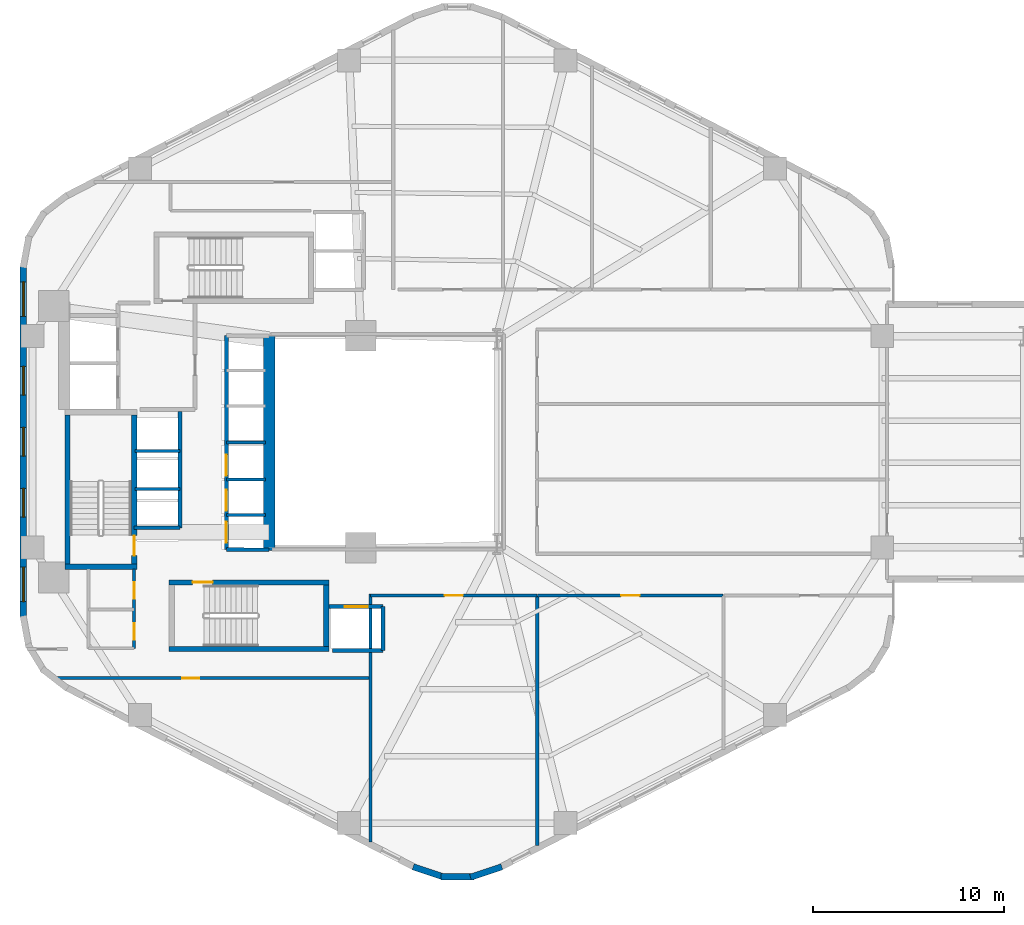
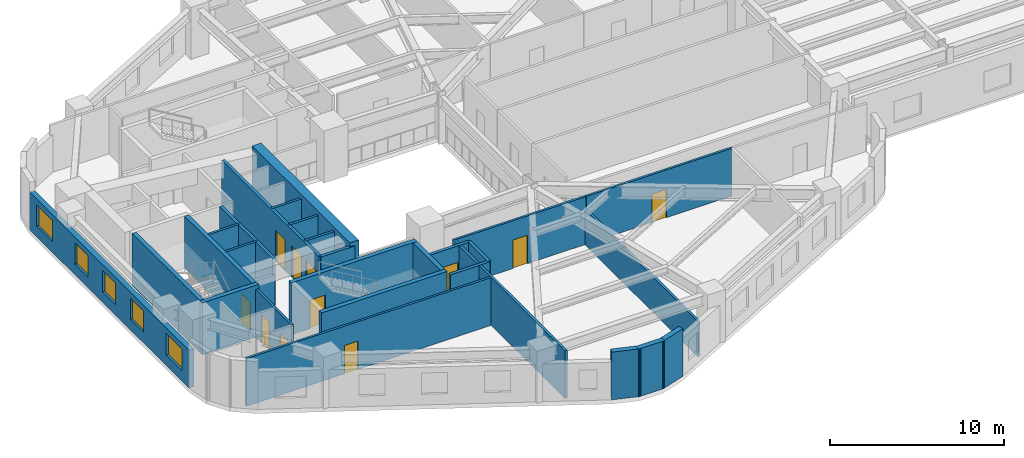
# One storey, part 5 of 10: 29 walls, 11 doors, 5 windows, 16 openings.
"""IFC4 building model written with IfcOpenShell, lengths in metres."""

from ifc_helpers import new_model, si_unit, direction, frame, frame_2d, origin, place, context, subcontext, project, spatial, rectangle, extrude, material, layer, layer_set, type_object, element, fill, save


model = new_model("IFC4")

# Units and contexts
model_context = context("Model", 3, precision=1e-05, world=origin(), true_north=direction((0.0, 1.0)))
body_context = subcontext(model_context, "Body", "Model", "MODEL_VIEW")
ifc_project = project(units=[si_unit("LENGTHUNIT", "METRE"), si_unit("AREAUNIT", "SQUARE_METRE"), si_unit("VOLUMEUNIT", "CUBIC_METRE"), si_unit("PLANEANGLEUNIT", "RADIAN"), si_unit("MASSUNIT", "GRAM", prefix="KILO"), si_unit("THERMODYNAMICTEMPERATUREUNIT", "KELVIN"), si_unit("POWERUNIT", "WATT")], contexts=[model_context])

# Site, building, storey
site_placement = place(None, origin())
site = spatial("IfcSite", under=ifc_project, at=site_placement, CompositionType="ELEMENT")
building_placement = place(site_placement, origin())
building = spatial("IfcBuilding", under=site, at=building_placement, Name="Skarre Station Tower", CompositionType="ELEMENT")
storey_placement = place(building_placement, frame((0.0, 0.0, 52.550048828125)))
storey = spatial("IfcBuildingStorey", under=building, at=storey_placement, Name="L13", CompositionType="ELEMENT", Elevation=52.550048828125)

# Wall, openings, doors
ifc_material_1 = material(Name="Acoustic Steel-Stud Gypsum Partition", Category="steel")
ifc_layer_1 = layer(ifc_material_1, 0.14990234375, Name="Acoustic Steel-Stud Gypsum Partition")
ifc_layer_set_1 = layer_set([ifc_layer_1], Name="Acoustic Steel-Stud Gypsum Partition")
wall_type_1 = type_object("IfcWallType", Name="Fire-Rated Corridor Acoustic Partition 150", PredefinedType="PARTITIONING", material=ifc_layer_set_1)
wall_1_placement = place(storey_placement, frame((20.489990234375, 13.199951171875, 0.0), z_axis=(0.0, 0.0, 1.0), x_axis=(0.0, 1.0, 0.0)))
wall_1 = element("IfcWall", 1, at=wall_1_placement, inside=storey, type_object=wall_type_1, Name="L13 Interior Partition WL-PT-L13-CSVC-E", PredefinedType="PARTITIONING", context=body_context, shape_type="SweptSolid", body=[
    extrude(rectangle(XDim=4.14013671875, YDim=0.14990234375, at=frame_2d((2.070068359375, 0.0))), origin(), (0.0, 0.0, 1.0), 3.35986328125),
])
opening_1_placement = place(wall_1_placement, frame((0.449951171875, 0.0, 0.0)))
opening_1 = element("IfcOpeningElement", 2, at=opening_1_placement, cuts=wall_1, Name="Opening DR-SVC86", PredefinedType="OPENING", context=body_context, shape_type="SweptSolid", body=[
    extrude(rectangle(XDim=0.860107421875, YDim=2.0, at=frame_2d((0.43017578125, 1.0))), frame((0.0, 0.0849609375, 0.0), z_axis=(0.0, -1.0, 0.0), x_axis=(1.0, 0.0, 0.0)), (0.0, 0.0, 1.0), 0.169921875),
])
opening_2_placement = place(wall_1_placement, frame((2.60009765625, 0.0, 0.0)))
opening_2 = element("IfcOpeningElement", 3, at=opening_2_placement, cuts=wall_1, Name="Opening DR-SVC86", PredefinedType="OPENING", context=body_context, shape_type="SweptSolid", body=[
    extrude(rectangle(XDim=0.860107421875, YDim=2.0, at=frame_2d((0.43017578125, 1.0))), frame((0.0, 0.0849609375, 0.0), z_axis=(0.0, -1.0, 0.0), x_axis=(1.0, 0.0, 0.0)), (0.0, 0.0, 1.0), 0.169921875),
])
ifc_material_2 = material(Name="Powder-Coated Hollow-Metal Acoustic Fire Leaf", Category="steel")
door_type_1 = type_object("IfcDoorType", Name="Compact Riser Fire Door FD60 860x2100", OperationType="SINGLE_SWING_LEFT", PredefinedType="DOOR", material=ifc_material_2)
door_1_placement = place(opening_1_placement, origin())
door_1 = element("IfcDoor", 4, at=door_1_placement, inside=storey, type_object=door_type_1, Name="L13 Vending Room Door", OperationType="SINGLE_SWING_LEFT", OverallHeight=2.0, OverallWidth=0.860107421875, PredefinedType="DOOR", context=body_context, shape_type="SweptSolid", body=[
    extrude(rectangle(XDim=0.860107421875, YDim=2.0, at=frame_2d((0.43017578125, 1.0))), frame((0.0, 0.02490234375, 0.0), z_axis=(0.0, -1.0, 0.0), x_axis=(1.0, 0.0, 0.0)), (0.0, 0.0, 1.0), 0.050048828125),
])
fill(opening_1, door_1)
door_2_placement = place(opening_2_placement, origin())
door_2 = element("IfcDoor", 5, at=door_2_placement, inside=storey, type_object=door_type_1, Name="L13 Linen Storage Door", OperationType="SINGLE_SWING_LEFT", OverallHeight=2.0, OverallWidth=0.860107421875, PredefinedType="DOOR", context=body_context, shape_type="SweptSolid", body=[
    extrude(rectangle(XDim=0.860107421875, YDim=2.0, at=frame_2d((0.43017578125, 1.0))), frame((0.0, 0.02490234375, 0.0), z_axis=(0.0, -1.0, 0.0), x_axis=(1.0, 0.0, 0.0)), (0.0, 0.0, 1.0), 0.050048828125),
])
fill(opening_2, door_2)

# Wall, opening, door
wall_2_placement = place(storey_placement, frame((16.487060546875, 11.639892578125, 0.0), z_axis=(0.0, 0.0, 1.0), x_axis=(1.0, 0.0, 0.0)))
wall_2 = element("IfcWall", 6, at=wall_2_placement, inside=storey, type_object=wall_type_1, Name="L13 Interior Partition WL-PT-L13-SWP-N", PredefinedType="PARTITIONING", context=body_context, shape_type="SweptSolid", body=[
    extrude(rectangle(XDim=16.363037109375, YDim=0.14990234375, at=frame_2d((8.181640625, 0.0))), origin(), (0.0, 0.0, 1.0), 3.35986328125),
])
opening_3_placement = place(wall_2_placement, frame((6.512939453125, 0.0, 0.0)))
opening_3 = element("IfcOpeningElement", 7, at=opening_3_placement, cuts=wall_2, Name="Opening DR-SVC90", PredefinedType="OPENING", context=body_context, shape_type="SweptSolid", body=[
    extrude(rectangle(XDim=0.89990234375, YDim=2.0, at=frame_2d((0.449951171875, 1.0))), frame((0.0, 0.0849609375, 0.0), z_axis=(0.0, -1.0, 0.0), x_axis=(1.0, 0.0, 0.0)), (0.0, 0.0, 1.0), 0.169921875),
])
door_type_2 = type_object("IfcDoorType", Name="Service & Riser Fire Door FD60 900x2100", OperationType="SINGLE_SWING_LEFT", PredefinedType="DOOR", material=ifc_material_2)
door_3_placement = place(opening_3_placement, origin())
door_3 = element("IfcDoor", 8, at=door_3_placement, inside=storey, type_object=door_type_2, Name="L13 Floor Public Toilets Door", OperationType="SINGLE_SWING_LEFT", OverallHeight=2.0, OverallWidth=0.89990234375, PredefinedType="DOOR", context=body_context, shape_type="SweptSolid", body=[
    extrude(rectangle(XDim=0.89990234375, YDim=2.0, at=frame_2d((0.449951171875, 1.0))), frame((0.0, 0.02490234375, 0.0), z_axis=(0.0, -1.0, 0.0), x_axis=(1.0, 0.0, 0.0)), (0.0, 0.0, 1.0), 0.050048828125),
])
fill(opening_3, door_3)

wall_3_placement = place(storey_placement, frame((32.85009765625, 15.9599609375, 0.0), z_axis=(0.0, 0.0, 1.0), x_axis=(1.0, 0.0, 0.0)))
wall_3 = element("IfcWall", 9, at=wall_3_placement, inside=storey, type_object=wall_type_1, Name="L13 Interior Partition WL-PT-L13-SW1-CW", PredefinedType="PARTITIONING", context=body_context, shape_type="SweptSolid", body=[
    extrude(rectangle(XDim=8.705810546875, YDim=0.14990234375, at=frame_2d((4.35302734375, 0.0))), origin(), (0.0, 0.0, 1.0), 3.35986328125),
])
opening_4_placement = place(wall_3_placement, frame((3.873046875, 0.0, 0.0)))
opening_4 = element("IfcOpeningElement", 10, at=opening_4_placement, cuts=wall_3, Name="Opening DR-FD60", PredefinedType="OPENING", context=body_context, shape_type="SweptSolid", body=[
    extrude(rectangle(XDim=0.9599609375, YDim=2.0, at=frame_2d((0.47998046875, 1.0))), frame((0.0, 0.0849609375, 0.0), z_axis=(0.0, -1.0, 0.0), x_axis=(1.0, 0.0, 0.0)), (0.0, 0.0, 1.0), 0.169921875),
])
ifc_material_3 = material(Name="Nordic White-Oak Veneer Solid-Core Fire Leaf", Category="wood")
door_type_3 = type_object("IfcDoorType", Name="Corridor Suite Entry Fire Door FD60 960x2150", OperationType="SINGLE_SWING_LEFT", PredefinedType="DOOR", material=ifc_material_3)
door_4_placement = place(opening_4_placement, origin())
door_4 = element("IfcDoor", 11, at=door_4_placement, inside=storey, type_object=door_type_3, Name="L13 SW1 Entry Door", OperationType="SINGLE_SWING_LEFT", OverallHeight=2.0, OverallWidth=0.9599609375, PredefinedType="DOOR", context=body_context, shape_type="SweptSolid", body=[
    extrude(rectangle(XDim=0.9599609375, YDim=2.0, at=frame_2d((0.47998046875, 1.0))), frame((0.0, 0.02490234375, 0.0), z_axis=(0.0, -1.0, 0.0), x_axis=(1.0, 0.0, 0.0)), (0.0, 0.0, 1.0), 0.050048828125),
])
fill(opening_4, door_4)

wall_4_placement = place(storey_placement, frame((41.592041015625, 15.9599609375, 0.0), z_axis=(0.0, 0.0, 1.0), x_axis=(1.0, 0.0, 0.0)))
wall_4 = element("IfcWall", 12, at=wall_4_placement, inside=storey, type_object=wall_type_1, Name="L13 Interior Partition WL-PT-L13-SW2-CW", PredefinedType="PARTITIONING", context=body_context, shape_type="SweptSolid", body=[
    extrude(rectangle(XDim=9.698974609375, YDim=0.14990234375, at=frame_2d((4.849609375, 0.0))), origin(), (0.0, 0.0, 1.0), 3.35986328125),
])
opening_5_placement = place(wall_4_placement, frame((4.3701171875, 0.0, 0.0)))
opening_5 = element("IfcOpeningElement", 13, at=opening_5_placement, cuts=wall_4, Name="Opening DR-FD60", PredefinedType="OPENING", context=body_context, shape_type="SweptSolid", body=[
    extrude(rectangle(XDim=0.9599609375, YDim=2.0, at=frame_2d((0.47998046875, 1.0))), frame((0.0, 0.0849609375, 0.0), z_axis=(0.0, -1.0, 0.0), x_axis=(1.0, 0.0, 0.0)), (0.0, 0.0, 1.0), 0.169921875),
])
door_5_placement = place(opening_5_placement, origin())
door_5 = element("IfcDoor", 14, at=door_5_placement, inside=storey, type_object=door_type_3, Name="L13 SW2 Entry Door", OperationType="SINGLE_SWING_LEFT", OverallHeight=2.0, OverallWidth=0.9599609375, PredefinedType="DOOR", context=body_context, shape_type="SweptSolid", body=[
    extrude(rectangle(XDim=0.9599609375, YDim=2.0, at=frame_2d((0.47998046875, 1.0))), frame((0.0, 0.02490234375, 0.0), z_axis=(0.0, -1.0, 0.0), x_axis=(1.0, 0.0, 0.0)), (0.0, 0.0, 1.0), 0.050048828125),
])
fill(opening_5, door_5)

# Wall, openings, windows
ifc_material_4 = material(Name="Precast concrete C45/55", Category="concrete")
ifc_layer_2 = layer(ifc_material_4, 0.340087890625, Name="Precast concrete C45/55")
ifc_layer_set_2 = layer_set([ifc_layer_2], Name="Precast concrete C45/55")
wall_type_2 = type_object("IfcWallType", Name="Nordic Honed Precast Facet Wall 340", PredefinedType="STANDARD", material=ifc_layer_set_2)
wall_5_placement = place(storey_placement, frame((14.70703125, 14.798095703125, 0.0), z_axis=(0.0, 0.0, 1.0), x_axis=(0.0, 1.0, 0.0)))
wall_5 = element("IfcWall", 15, at=wall_5_placement, inside=storey, type_object=wall_type_2, Name="L13 Facet 2 Nordic Precast Masonry Wall", PredefinedType="STANDARD", context=body_context, shape_type="SweptSolid", body=[
    extrude(rectangle(XDim=18.40380859375, YDim=0.340087890625, at=frame_2d((9.201904296875, 0.0))), origin(), (0.0, 0.0, 1.0), 2.654052734375),
])
opening_6_placement = place(wall_5_placement, frame((0.844970703125, 0.0, 0.75)))
opening_6 = element("IfcOpeningElement", 16, at=opening_6_placement, cuts=wall_5, Name="Opening WN-Z1A", PredefinedType="OPENING", context=body_context, shape_type="SweptSolid", body=[
    extrude(rectangle(XDim=1.800048828125, YDim=1.5, at=frame_2d((0.89990234375, 0.75))), frame((0.0, 0.179931640625, 0.0), z_axis=(0.0, -1.0, 0.0), x_axis=(1.0, 0.0, 0.0)), (0.0, 0.0, 1.0), 0.360107421875),
])
opening_7_placement = place(wall_5_placement, frame((5.264892578125, 0.0, 0.75)))
opening_7 = element("IfcOpeningElement", 17, at=opening_7_placement, cuts=wall_5, Name="Opening WN-Z1B", PredefinedType="OPENING", context=body_context, shape_type="SweptSolid", body=[
    extrude(rectangle(XDim=1.5, YDim=1.5, at=frame_2d((0.75, 0.75))), frame((0.0, 0.179931640625, 0.0), z_axis=(0.0, -1.0, 0.0), x_axis=(1.0, 0.0, 0.0)), (0.0, 0.0, 1.0), 0.360107421875),
])
opening_8_placement = place(wall_5_placement, frame((8.451904296875, 0.0, 0.75)))
opening_8 = element("IfcOpeningElement", 18, at=opening_8_placement, cuts=wall_5, Name="Opening WN-Z1B", PredefinedType="OPENING", context=body_context, shape_type="SweptSolid", body=[
    extrude(rectangle(XDim=1.5, YDim=1.5, at=frame_2d((0.75, 0.75))), frame((0.0, 0.179931640625, 0.0), z_axis=(0.0, -1.0, 0.0), x_axis=(1.0, 0.0, 0.0)), (0.0, 0.0, 1.0), 0.360107421875),
])
opening_9_placement = place(wall_5_placement, frame((11.638916015625, 0.0, 0.75)))
opening_9 = element("IfcOpeningElement", 19, at=opening_9_placement, cuts=wall_5, Name="Opening WN-Z1B", PredefinedType="OPENING", context=body_context, shape_type="SweptSolid", body=[
    extrude(rectangle(XDim=1.5, YDim=1.5, at=frame_2d((0.75, 0.75))), frame((0.0, 0.179931640625, 0.0), z_axis=(0.0, -1.0, 0.0), x_axis=(1.0, 0.0, 0.0)), (0.0, 0.0, 1.0), 0.360107421875),
])
opening_10_placement = place(wall_5_placement, frame((15.758056640625, 0.0, 0.75)))
opening_10 = element("IfcOpeningElement", 20, at=opening_10_placement, cuts=wall_5, Name="Opening WN-Z1A", PredefinedType="OPENING", context=body_context, shape_type="SweptSolid", body=[
    extrude(rectangle(XDim=1.800048828125, YDim=1.5, at=frame_2d((0.89990234375, 0.75))), frame((0.0, 0.179931640625, 0.0), z_axis=(0.0, -1.0, 0.0), x_axis=(1.0, 0.0, 0.0)), (0.0, 0.0, 1.0), 0.360107421875),
])
ifc_material_5 = material(Name="Low-Iron Triple Glazing with Bronze Anodized Frame", Category="glass")
window_type_1 = type_object("IfcWindowType", Name="Nordic Punched Triple-Glazed Window 1500x1500", PartitioningType="SINGLE_PANEL", PredefinedType="WINDOW", material=ifc_material_5)
window_1_placement = place(opening_7_placement, origin())
window_1 = element("IfcWindow", 21, at=window_1_placement, inside=storey, type_object=window_type_1, Name="L13 Facade Window WL-FAC-L13-F2-2", OverallHeight=1.5, OverallWidth=1.5, PartitioningType="SINGLE_PANEL", PredefinedType="WINDOW", context=body_context, shape_type="SweptSolid", body=[
    extrude(rectangle(XDim=1.5, YDim=1.5, at=frame_2d((0.75, 0.75))), frame((0.0, 0.030029296875, 0.0), z_axis=(0.0, -1.0, 0.0), x_axis=(1.0, 0.0, 0.0)), (0.0, 0.0, 1.0), 0.06005859375),
])
fill(opening_7, window_1)
window_2_placement = place(opening_8_placement, origin())
window_2 = element("IfcWindow", 22, at=window_2_placement, inside=storey, type_object=window_type_1, Name="L13 Facade Window WL-FAC-L13-F2-3", OverallHeight=1.5, OverallWidth=1.5, PartitioningType="SINGLE_PANEL", PredefinedType="WINDOW", context=body_context, shape_type="SweptSolid", body=[
    extrude(rectangle(XDim=1.5, YDim=1.5, at=frame_2d((0.75, 0.75))), frame((0.0, 0.030029296875, 0.0), z_axis=(0.0, -1.0, 0.0), x_axis=(1.0, 0.0, 0.0)), (0.0, 0.0, 1.0), 0.06005859375),
])
fill(opening_8, window_2)
window_3_placement = place(opening_9_placement, origin())
window_3 = element("IfcWindow", 23, at=window_3_placement, inside=storey, type_object=window_type_1, Name="L13 Facade Window WL-FAC-L13-F2-4", OverallHeight=1.5, OverallWidth=1.5, PartitioningType="SINGLE_PANEL", PredefinedType="WINDOW", context=body_context, shape_type="SweptSolid", body=[
    extrude(rectangle(XDim=1.5, YDim=1.5, at=frame_2d((0.75, 0.75))), frame((0.0, 0.030029296875, 0.0), z_axis=(0.0, -1.0, 0.0), x_axis=(1.0, 0.0, 0.0)), (0.0, 0.0, 1.0), 0.06005859375),
])
fill(opening_9, window_3)
window_type_2 = type_object("IfcWindowType", Name="Nordic Punched Triple-Glazed Window 1800x1500", PartitioningType="SINGLE_PANEL", PredefinedType="WINDOW", material=ifc_material_5)
window_4_placement = place(opening_6_placement, origin())
window_4 = element("IfcWindow", 24, at=window_4_placement, inside=storey, type_object=window_type_2, Name="L13 Facade Window WL-FAC-L13-F2-1", OverallHeight=1.5, OverallWidth=1.800048828125, PartitioningType="SINGLE_PANEL", PredefinedType="WINDOW", context=body_context, shape_type="SweptSolid", body=[
    extrude(rectangle(XDim=1.800048828125, YDim=1.5, at=frame_2d((0.89990234375, 0.75))), frame((0.0, 0.030029296875, 0.0), z_axis=(0.0, -1.0, 0.0), x_axis=(1.0, 0.0, 0.0)), (0.0, 0.0, 1.0), 0.06005859375),
])
fill(opening_6, window_4)
window_5_placement = place(opening_10_placement, origin())
window_5 = element("IfcWindow", 25, at=window_5_placement, inside=storey, type_object=window_type_2, Name="L13 Facade Window WL-FAC-L13-F2-5", OverallHeight=1.5, OverallWidth=1.800048828125, PartitioningType="SINGLE_PANEL", PredefinedType="WINDOW", context=body_context, shape_type="SweptSolid", body=[
    extrude(rectangle(XDim=1.800048828125, YDim=1.5, at=frame_2d((0.89990234375, 0.75))), frame((0.0, 0.030029296875, 0.0), z_axis=(0.0, -1.0, 0.0), x_axis=(1.0, 0.0, 0.0)), (0.0, 0.0, 1.0), 0.06005859375),
])
fill(opening_10, window_5)

# Walls
ifc_layer_3 = layer(ifc_material_4, 0.330078125, Name="Precast concrete C45/55")
ifc_layer_set_3 = layer_set([ifc_layer_3], Name="Precast concrete C45/55")
wall_type_3 = type_object("IfcWallType", Name="Nordic Rounded Corner Precast Wall 330", PredefinedType="STANDARD", material=ifc_layer_set_3)
wall_6_placement = place(storey_placement, frame((39.718994140625, 1.76904296875, 0.0), z_axis=(0.0, 0.0, 1.0), x_axis=(-0.94976901097, -0.312951794691, 0.0)))
element("IfcWall", 26, at=wall_6_placement, inside=storey, type_object=wall_type_3, Name="L13 Rounded Corner Precast Wall F4-1", PredefinedType="STANDARD", context=body_context, shape_type="SweptSolid", body=[
    extrude(rectangle(XDim=1.722412109375, YDim=0.330078125, at=frame_2d((0.861328125, 0.0))), origin(), (0.0, 0.0, 1.0), 3.35986328125),
])
wall_7_placement = place(storey_placement, frame((38.260986328125, 1.259033203125, 0.0), z_axis=(0.0, 0.0, 1.0), x_axis=(-1.0, 0.0, 0.0)))
element("IfcWall", 27, at=wall_7_placement, inside=storey, type_object=wall_type_3, Name="L13 Rounded Corner Precast Wall F4-2", PredefinedType="STANDARD", context=body_context, shape_type="SweptSolid", body=[
    extrude(rectangle(XDim=1.721923828125, YDim=0.330078125, at=frame_2d((0.86083984375, 0.0))), origin(), (0.0, 0.0, 1.0), 3.35986328125),
])
wall_8_placement = place(storey_placement, frame((36.717041015625, 1.22998046875, 0.0), z_axis=(0.0, 0.0, 1.0), x_axis=(-0.94976901097, 0.312951794691, 0.0)))
element("IfcWall", 28, at=wall_8_placement, inside=storey, type_object=wall_type_3, Name="L13 Rounded Corner Precast Wall F4-3", PredefinedType="STANDARD", context=body_context, shape_type="SweptSolid", body=[
    extrude(rectangle(XDim=1.722412109375, YDim=0.330078125, at=frame_2d((0.861328125, 0.0))), origin(), (0.0, 0.0, 1.0), 3.35986328125),
])
ifc_material_6 = material(Name="Concrete C50/60", Category="concrete")
ifc_layer_4 = layer(ifc_material_6, 0.280029296875, Name="Concrete C50/60")
ifc_layer_set_4 = layer_set([ifc_layer_4], Name="Concrete C50/60")
wall_type_4 = type_object("IfcWallType", Name="RC Core Shear Wall 280", PredefinedType="SHEAR", material=ifc_layer_set_4)
wall_9_placement = place(storey_placement, frame((16.8701171875, 17.4599609375, 0.0), z_axis=(0.0, 0.0, 1.0), x_axis=(1.0, 0.0, 0.0)))
element("IfcWall", 29, at=wall_9_placement, inside=storey, type_object=wall_type_4, Name="L13 Stair ST-1 South Shear Wall", PredefinedType="SHEAR", context=body_context, shape_type="SweptSolid", body=[
    extrude(rectangle(XDim=3.759765625, YDim=0.280029296875, at=frame_2d((1.8798828125, 0.0))), origin(), (0.0, 0.0, 1.0), 3.64990234375),
])
wall_10_placement = place(storey_placement, frame((17.010009765625, 25.39990234375, 0.0), z_axis=(0.0, 0.0, 1.0), x_axis=(0.0, -1.0, 0.0)))
element("IfcWall", 30, at=wall_10_placement, inside=storey, type_object=wall_type_4, Name="L13 Stair ST-1 West Shear Wall", PredefinedType="SHEAR", context=body_context, shape_type="SweptSolid", body=[
    extrude(rectangle(XDim=7.7998046875, YDim=0.280029296875, at=frame_2d((3.89990234375, 0.0))), origin(), (0.0, 0.0, 1.0), 3.64990234375),
])

# Wall, opening, door
wall_11_placement = place(storey_placement, frame((20.489990234375, 17.60009765625, 0.0), z_axis=(0.0, 0.0, 1.0), x_axis=(0.0, 1.0, 0.0)))
wall_11 = element("IfcWall", 31, at=wall_11_placement, inside=storey, type_object=wall_type_4, Name="L13 Stair ST-1 East Shear Wall", PredefinedType="SHEAR", context=body_context, shape_type="SweptSolid", body=[
    extrude(rectangle(XDim=7.7998046875, YDim=0.280029296875, at=frame_2d((3.89990234375, 0.0))), origin(), (0.0, 0.0, 1.0), 3.64990234375),
])
opening_11_placement = place(wall_11_placement, frame((0.43994140625, 0.0, 0.0)))
opening_11 = element("IfcOpeningElement", 32, at=opening_11_placement, cuts=wall_11, Name="Opening DR-FD90", PredefinedType="OPENING", context=body_context, shape_type="SweptSolid", body=[
    extrude(rectangle(XDim=1.050048828125, YDim=2.0, at=frame_2d((0.52490234375, 1.0))), frame((0.0, 0.14990234375, 0.0), z_axis=(0.0, -1.0, 0.0), x_axis=(1.0, 0.0, 0.0)), (0.0, 0.0, 1.0), 0.300048828125),
])
ifc_material_7 = material(Name="Fire-Rated Insulated Steel Frame & Timber Core Leaf", Category="steel")
door_type_4 = type_object("IfcDoorType", Name="Stair & FSAE Lobby Fire Door FD90 1050x2150", OperationType="SINGLE_SWING_RIGHT", PredefinedType="DOOR", material=ifc_material_7)
door_6_placement = place(opening_11_placement, origin())
door_6 = element("IfcDoor", 33, at=door_6_placement, inside=storey, type_object=door_type_4, Name="L13 Stair ST-1 Exit Door", OperationType="SINGLE_SWING_RIGHT", OverallHeight=2.0, OverallWidth=1.050048828125, PredefinedType="DOOR", context=body_context, shape_type="SweptSolid", body=[
    extrude(rectangle(XDim=1.050048828125, YDim=2.0, at=frame_2d((0.52490234375, 1.0))), frame((0.0, 0.02490234375, 0.0), z_axis=(0.0, -1.0, 0.0), x_axis=(1.0, 0.0, 0.0)), (0.0, 0.0, 1.0), 0.050048828125),
])
fill(opening_11, door_6)

# Wall
wall_12_placement = place(storey_placement, frame((22.320068359375, 13.159912109375, 0.0), z_axis=(0.0, 0.0, 1.0), x_axis=(1.0, 0.0, 0.0)))
element("IfcWall", 34, at=wall_12_placement, inside=storey, type_object=wall_type_4, Name="L13 Stair ST-2 South Shear Wall", PredefinedType="SHEAR", context=body_context, shape_type="SweptSolid", body=[
    extrude(rectangle(XDim=8.35986328125, YDim=0.280029296875, at=frame_2d((4.179931640625, 0.0))), origin(), (0.0, 0.0, 1.0), 3.64990234375),
])

# Wall, opening, door
wall_13_placement = place(storey_placement, frame((30.679931640625, 16.639892578125, 0.0), z_axis=(0.0, 0.0, 1.0), x_axis=(-1.0, 0.0, 0.0)))
wall_13 = element("IfcWall", 35, at=wall_13_placement, inside=storey, type_object=wall_type_4, Name="L13 Stair ST-2 North Shear Wall", PredefinedType="SHEAR", context=body_context, shape_type="SweptSolid", body=[
    extrude(rectangle(XDim=8.35986328125, YDim=0.280029296875, at=frame_2d((4.179931640625, 0.0))), origin(), (0.0, 0.0, 1.0), 3.64990234375),
])
opening_12_placement = place(wall_13_placement, frame((6.080078125, 0.0, 0.0)))
opening_12 = element("IfcOpeningElement", 36, at=opening_12_placement, cuts=wall_13, Name="Opening DR-FD90", PredefinedType="OPENING", context=body_context, shape_type="SweptSolid", body=[
    extrude(rectangle(XDim=1.050048828125, YDim=2.0, at=frame_2d((0.52490234375, 1.0))), frame((0.0, 0.14990234375, 0.0), z_axis=(0.0, -1.0, 0.0), x_axis=(1.0, 0.0, 0.0)), (0.0, 0.0, 1.0), 0.300048828125),
])
door_7_placement = place(opening_12_placement, origin())
door_7 = element("IfcDoor", 37, at=door_7_placement, inside=storey, type_object=door_type_4, Name="L13 Stair ST-2 Exit Door", OperationType="SINGLE_SWING_RIGHT", OverallHeight=2.0, OverallWidth=1.050048828125, PredefinedType="DOOR", context=body_context, shape_type="SweptSolid", body=[
    extrude(rectangle(XDim=1.050048828125, YDim=2.0, at=frame_2d((0.52490234375, 1.0))), frame((0.0, 0.02490234375, 0.0), z_axis=(0.0, -1.0, 0.0), x_axis=(1.0, 0.0, 0.0)), (0.0, 0.0, 1.0), 0.050048828125),
])
fill(opening_12, door_7)

# Walls
wall_14_placement = place(storey_placement, frame((30.5400390625, 13.300048828125, 0.0), z_axis=(0.0, 0.0, 1.0), x_axis=(0.0, 1.0, 0.0)))
element("IfcWall", 38, at=wall_14_placement, inside=storey, type_object=wall_type_4, Name="L13 Stair ST-2 East Shear Wall", PredefinedType="SHEAR", context=body_context, shape_type="SweptSolid", body=[
    extrude(rectangle(XDim=3.199951171875, YDim=0.280029296875, at=frame_2d((1.60009765625, 0.0))), origin(), (0.0, 0.0, 1.0), 3.64990234375),
])
ifc_material_8 = material(Name="Concrete C70/85", Category="concrete")
ifc_layer_5 = layer(ifc_material_8, 0.60009765625, Name="Concrete C70/85")
ifc_layer_set_5 = layer_set([ifc_layer_5], Name="Concrete C70/85")
wall_type_5 = type_object("IfcWallType", Name="RC Core Shear Wall 600", PredefinedType="SHEAR", material=ifc_layer_set_5)
wall_15_placement = place(storey_placement, frame((27.550048828125, 29.550048828125, 0.0), z_axis=(0.0, 0.0, 1.0), x_axis=(0.0, -1.0, 0.0)))
element("IfcWall", 39, at=wall_15_placement, inside=storey, type_object=wall_type_5, Name="L13 Core East Atrium Shear Wall", PredefinedType="SHEAR", context=body_context, shape_type="SweptSolid", body=[
    extrude(rectangle(XDim=11.25, YDim=0.60009765625, at=frame_2d((5.625, 0.0))), origin(), (0.0, 0.0, 1.0), 3.64990234375),
])

# Wall, opening, door
ifc_material_9 = material(Name="Gypsum Concrete Shaft Assembly C30/37", Category="concrete")
ifc_layer_6 = layer(ifc_material_9, 0.199951171875, Name="Gypsum Concrete Shaft Assembly C30/37")
ifc_layer_set_6 = layer_set([ifc_layer_6], Name="Gypsum Concrete Shaft Assembly C30/37")
wall_type_6 = type_object("IfcWallType", Name="Shaft & Core Fire Partition 200", PredefinedType="PARTITIONING", material=ifc_layer_set_6)
wall_16_placement = place(storey_placement, frame((33.5, 15.3798828125, 0.0), z_axis=(0.0, 0.0, 1.0), x_axis=(-1.0, 0.0, 0.0)))
wall_16 = element("IfcWall", 40, at=wall_16_placement, inside=storey, type_object=wall_type_6, Name="L13 Interior Partition WL-PT-L13-SV1-N", PredefinedType="PARTITIONING", context=body_context, shape_type="SweptSolid", body=[
    extrude(rectangle(XDim=2.820068359375, YDim=0.199951171875, at=frame_2d((1.41015625, 0.0))), origin(), (0.0, 0.0, 1.0), 3.35986328125),
])
opening_13_placement = place(wall_16_placement, frame((0.800048828125, 0.0, 0.0)))
opening_13 = element("IfcOpeningElement", 41, at=opening_13_placement, cuts=wall_16, Name="Opening LD-SV1", PredefinedType="OPENING", context=body_context, shape_type="SweptSolid", body=[
    extrude(rectangle(XDim=1.199951171875, YDim=2.199951171875, at=frame_2d((0.60009765625, 1.10009765625))), frame((0.0, 0.10986328125, 0.0), z_axis=(0.0, -1.0, 0.0), x_axis=(1.0, 0.0, 0.0)), (0.0, 0.0, 1.0), 0.219970703125),
])
ifc_material_10 = material(Name="Heavy-Gauge Brushed Stainless Steel Sliding Leaves", Category="steel")
door_type_5 = type_object("IfcDoorType", Name="Service Elevator Wide Sliding Landing Door 1200x2200", OperationType="SLIDING_TO_RIGHT", PredefinedType="DOOR", material=ifc_material_10)
door_8_placement = place(opening_13_placement, origin())
door_8 = element("IfcDoor", 42, at=door_8_placement, inside=storey, type_object=door_type_5, Name="L13 Service Lift LF-SV1 Landing Door", OperationType="SLIDING_TO_RIGHT", OverallHeight=2.199951171875, OverallWidth=1.199951171875, PredefinedType="DOOR", context=body_context, shape_type="SweptSolid", body=[
    extrude(rectangle(XDim=1.199951171875, YDim=2.199951171875, at=frame_2d((0.60009765625, 1.10009765625))), frame((0.0, 0.02490234375, 0.0), z_axis=(0.0, -1.0, 0.0), x_axis=(1.0, 0.0, 0.0)), (0.0, 0.0, 1.0), 0.050048828125),
])
fill(opening_13, door_8)

# Walls
wall_17_placement = place(storey_placement, frame((33.5, 13.080078125, 0.0), z_axis=(0.0, 0.0, 1.0), x_axis=(0.0, 1.0, 0.0)))
element("IfcWall", 43, at=wall_17_placement, inside=storey, type_object=wall_type_6, Name="L13 Interior Partition WL-PT-L13-SV1-E", PredefinedType="PARTITIONING", context=body_context, shape_type="SweptSolid", body=[
    extrude(rectangle(XDim=2.2998046875, YDim=0.199951171875, at=frame_2d((1.14990234375, 0.0))), origin(), (0.0, 0.0, 1.0), 3.35986328125),
])
wall_18_placement = place(storey_placement, frame((30.87890625, 13.080078125, 0.0), z_axis=(0.0, 0.0, 1.0), x_axis=(1.0, 0.0, 0.0)))
element("IfcWall", 44, at=wall_18_placement, inside=storey, type_object=wall_type_6, Name="L13 Interior Partition WL-PT-L13-SV1-S", PredefinedType="PARTITIONING", context=body_context, shape_type="SweptSolid", body=[
    extrude(rectangle(XDim=2.62109375, YDim=0.199951171875, at=frame_2d((1.310546875, 0.0))), origin(), (0.0, 0.0, 1.0), 3.35986328125),
])
wall_19_placement = place(storey_placement, frame((22.89990234375, 19.5, 0.0), z_axis=(0.0, 0.0, 1.0), x_axis=(0.0, 1.0, 0.0)))
element("IfcWall", 45, at=wall_19_placement, inside=storey, type_object=wall_type_6, Name="L13 Interior Partition WL-PT-L13-B3-E", PredefinedType="PARTITIONING", context=body_context, shape_type="SweptSolid", body=[
    extrude(rectangle(XDim=6.0849609375, YDim=0.199951171875, at=frame_2d((3.04248046875, 0.0))), origin(), (0.0, 0.0, 1.0), 3.35986328125),
])
wall_20_placement = place(storey_placement, frame((20.489990234375, 19.5, 0.0), z_axis=(0.0, 0.0, 1.0), x_axis=(1.0, 0.0, 0.0)))
element("IfcWall", 46, at=wall_20_placement, inside=storey, type_object=wall_type_6, Name="L13 Interior Partition WL-PT-L13-B3-S", PredefinedType="PARTITIONING", context=body_context, shape_type="SweptSolid", body=[
    extrude(rectangle(XDim=2.409912109375, YDim=0.199951171875, at=frame_2d((1.205078125, 0.0))), origin(), (0.0, 0.0, 1.0), 2.260009765625),
])
for number, where, z_axis, x_axis, name in (
    (47, (20.550048828125, 21.52001953125, 0.0), (0.0, 0.0, 1.0), (1.0, 0.0, 0.0), "L13 Interior Partition WL-PT-L13-B3-D1"),
    (48, (20.550048828125, 23.52001953125, 0.0), (0.0, 0.0, 1.0), (1.0, 0.0, 0.0), "L13 Interior Partition WL-PT-L13-B3-D2"),
):
    element("IfcWall", number, at=place(storey_placement, frame(where, z_axis=z_axis, x_axis=x_axis)), inside=storey, type_object=wall_type_6, Name=name, PredefinedType="PARTITIONING", context=body_context, shape_type="SweptSolid", body=[
        extrude(rectangle(XDim=2.349853515625, YDim=0.159912109375, at=frame_2d((1.1748046875, 0.0))), origin(), (0.0, 0.0, 1.0), 3.35986328125),
    ])

# Wall, openings, doors
wall_21_placement = place(storey_placement, frame((25.320068359375, 29.550048828125, 0.0), z_axis=(0.0, 0.0, 1.0), x_axis=(0.0, -1.0, 0.0)))
wall_21 = element("IfcWall", 49, at=wall_21_placement, inside=storey, type_object=wall_type_6, Name="L13 Interior Partition WL-PT-L13-B12-W", PredefinedType="PARTITIONING", context=body_context, shape_type="SweptSolid", body=[
    extrude(rectangle(XDim=11.18994140625, YDim=0.199951171875, at=frame_2d((5.594970703125, 0.0))), origin(), (0.0, 0.0, 1.0), 3.35986328125),
])
opening_14_placement = place(wall_21_placement, frame((6.219970703125, 0.0, 0.0)))
opening_14 = element("IfcOpeningElement", 50, at=opening_14_placement, cuts=wall_21, Name="Opening LD-P3", PredefinedType="OPENING", context=body_context, shape_type="SweptSolid", body=[
    extrude(rectangle(XDim=1.10009765625, YDim=2.199951171875, at=frame_2d((0.550048828125, 1.10009765625))), frame((0.0, 0.10986328125, 0.0), z_axis=(0.0, -1.0, 0.0), x_axis=(1.0, 0.0, 0.0)), (0.0, 0.0, 1.0), 0.219970703125),
])
opening_15_placement = place(wall_21_placement, frame((8.070068359375, 0.0, 0.0)))
opening_15 = element("IfcOpeningElement", 51, at=opening_15_placement, cuts=wall_21, Name="Opening LD-P2", PredefinedType="OPENING", context=body_context, shape_type="SweptSolid", body=[
    extrude(rectangle(XDim=1.10009765625, YDim=2.199951171875, at=frame_2d((0.550048828125, 1.10009765625))), frame((0.0, 0.10986328125, 0.0), z_axis=(0.0, -1.0, 0.0), x_axis=(1.0, 0.0, 0.0)), (0.0, 0.0, 1.0), 0.219970703125),
])
opening_16_placement = place(wall_21_placement, frame((9.72998046875, 0.0, 0.0)))
opening_16 = element("IfcOpeningElement", 52, at=opening_16_placement, cuts=wall_21, Name="Opening LD-P1", PredefinedType="OPENING", context=body_context, shape_type="SweptSolid", body=[
    extrude(rectangle(XDim=1.10009765625, YDim=2.199951171875, at=frame_2d((0.550048828125, 1.10009765625))), frame((0.0, 0.10986328125, 0.0), z_axis=(0.0, -1.0, 0.0), x_axis=(1.0, 0.0, 0.0)), (0.0, 0.0, 1.0), 0.219970703125),
])
ifc_material_11 = material(Name="Brushed Bronze Stainless Steel Sliding Leaves", Category="steel")
door_type_6 = type_object("IfcDoorType", Name="Passenger Elevator Center-Parting Sliding Door 1100x2200", OperationType="SLIDING_TO_LEFT", PredefinedType="DOOR", material=ifc_material_11)
door_9_placement = place(opening_14_placement, origin())
door_9 = element("IfcDoor", 53, at=door_9_placement, inside=storey, type_object=door_type_6, Name="L13 Passenger Lift LF-P3 Landing Door", OperationType="SLIDING_TO_LEFT", OverallHeight=2.199951171875, OverallWidth=1.10009765625, PredefinedType="DOOR", context=body_context, shape_type="SweptSolid", body=[
    extrude(rectangle(XDim=1.10009765625, YDim=2.199951171875, at=frame_2d((0.550048828125, 1.10009765625))), frame((0.0, 0.02490234375, 0.0), z_axis=(0.0, -1.0, 0.0), x_axis=(1.0, 0.0, 0.0)), (0.0, 0.0, 1.0), 0.050048828125),
])
fill(opening_14, door_9)
door_10_placement = place(opening_15_placement, origin())
door_10 = element("IfcDoor", 54, at=door_10_placement, inside=storey, type_object=door_type_6, Name="L13 Passenger Lift LF-P2 Landing Door", OperationType="SLIDING_TO_LEFT", OverallHeight=2.199951171875, OverallWidth=1.10009765625, PredefinedType="DOOR", context=body_context, shape_type="SweptSolid", body=[
    extrude(rectangle(XDim=1.10009765625, YDim=2.199951171875, at=frame_2d((0.550048828125, 1.10009765625))), frame((0.0, 0.02490234375, 0.0), z_axis=(0.0, -1.0, 0.0), x_axis=(1.0, 0.0, 0.0)), (0.0, 0.0, 1.0), 0.050048828125),
])
fill(opening_15, door_10)
door_11_placement = place(opening_16_placement, origin())
door_11 = element("IfcDoor", 55, at=door_11_placement, inside=storey, type_object=door_type_6, Name="L13 Passenger Lift LF-P1 Landing Door", OperationType="SLIDING_TO_LEFT", OverallHeight=2.199951171875, OverallWidth=1.10009765625, PredefinedType="DOOR", context=body_context, shape_type="SweptSolid", body=[
    extrude(rectangle(XDim=1.10009765625, YDim=2.199951171875, at=frame_2d((0.550048828125, 1.10009765625))), frame((0.0, 0.02490234375, 0.0), z_axis=(0.0, -1.0, 0.0), x_axis=(1.0, 0.0, 0.0)), (0.0, 0.0, 1.0), 0.050048828125),
])
fill(opening_16, door_11)

# Walls
wall_22_placement = place(storey_placement, frame((25.320068359375, 18.360107421875, 0.0), z_axis=(0.0, 0.0, 1.0), x_axis=(0.999989925833, -0.004488678231, 0.0)))
element("IfcWall", 56, at=wall_22_placement, inside=storey, type_object=wall_type_6, Name="L13 Interior Partition WL-PT-L13-B12-S", PredefinedType="PARTITIONING", context=body_context, shape_type="SweptSolid", body=[
    extrude(rectangle(XDim=2.22998046875, YDim=0.199951171875, at=frame_2d((1.114990234375, 0.0))), origin(), (0.0, 0.0, 1.0), 3.35986328125),
])
for number, where, z_axis, x_axis, name in (
    (57, (25.320068359375, 20.169921875, 0.0), (0.0, 0.0, 1.0), (1.0, 0.0, 0.0), "L13 Interior Partition WL-PT-L13-B12-D201"),
    (58, (25.320068359375, 22.02001953125, 0.0), (0.0, 0.0, 1.0), (1.0, 0.0, 0.0), "L13 Interior Partition WL-PT-L13-B12-D220"),
    (59, (25.320068359375, 23.949951171875, 0.0), (0.0, 0.0, 1.0), (1.0, 0.0, 0.0), "L13 Interior Partition WL-PT-L13-B12-D239"),
):
    element("IfcWall", number, at=place(storey_placement, frame(where, z_axis=z_axis, x_axis=x_axis)), inside=storey, type_object=wall_type_6, Name=name, PredefinedType="PARTITIONING", context=body_context, shape_type="SweptSolid", body=[
        extrude(rectangle(XDim=2.030029296875, YDim=0.159912109375, at=frame_2d((1.01513671875, 0.0))), origin(), (0.0, 0.0, 1.0), 3.35986328125),
    ])
ifc_layer_7 = layer(ifc_material_1, 0.1650390625, Name="Acoustic Steel-Stud Gypsum Partition")
ifc_layer_set_7 = layer_set([ifc_layer_7], Name="Acoustic Steel-Stud Gypsum Partition")
wall_type_7 = type_object("IfcWallType", Name="Suite Demising Acoustic Partition 165", PredefinedType="PARTITIONING", material=ifc_layer_set_7)
wall_23_placement = place(storey_placement, frame((32.85009765625, 3.06396484375, 0.0), z_axis=(0.0, 0.0, 1.0), x_axis=(0.0, 1.0, 0.0)))
element("IfcWall", 60, at=wall_23_placement, inside=storey, type_object=wall_type_7, Name="L13 Interior Partition WL-PT-L13-SWP-E", PredefinedType="PARTITIONING", context=body_context, shape_type="SweptSolid", body=[
    extrude(rectangle(XDim=12.966064453125, YDim=0.1650390625, at=frame_2d((6.48291015625, 0.0))), origin(), (0.0, 0.0, 1.0), 3.35986328125),
])
wall_24_placement = place(storey_placement, frame((41.573974609375, 2.881103515625, 0.0), z_axis=(0.0, 0.0, 1.0), x_axis=(0.0, 1.0, 0.0)))
element("IfcWall", 61, at=wall_24_placement, inside=storey, type_object=wall_type_7, Name="L13 Interior Partition WL-PT-L13-SW-P1", PredefinedType="PARTITIONING", context=body_context, shape_type="SweptSolid", body=[
    extrude(rectangle(XDim=13.048828125, YDim=0.1650390625, at=frame_2d((6.5244140625, 0.0))), origin(), (0.0, 0.0, 1.0), 2.48291015625),
])

save(model, "model.ifc")
